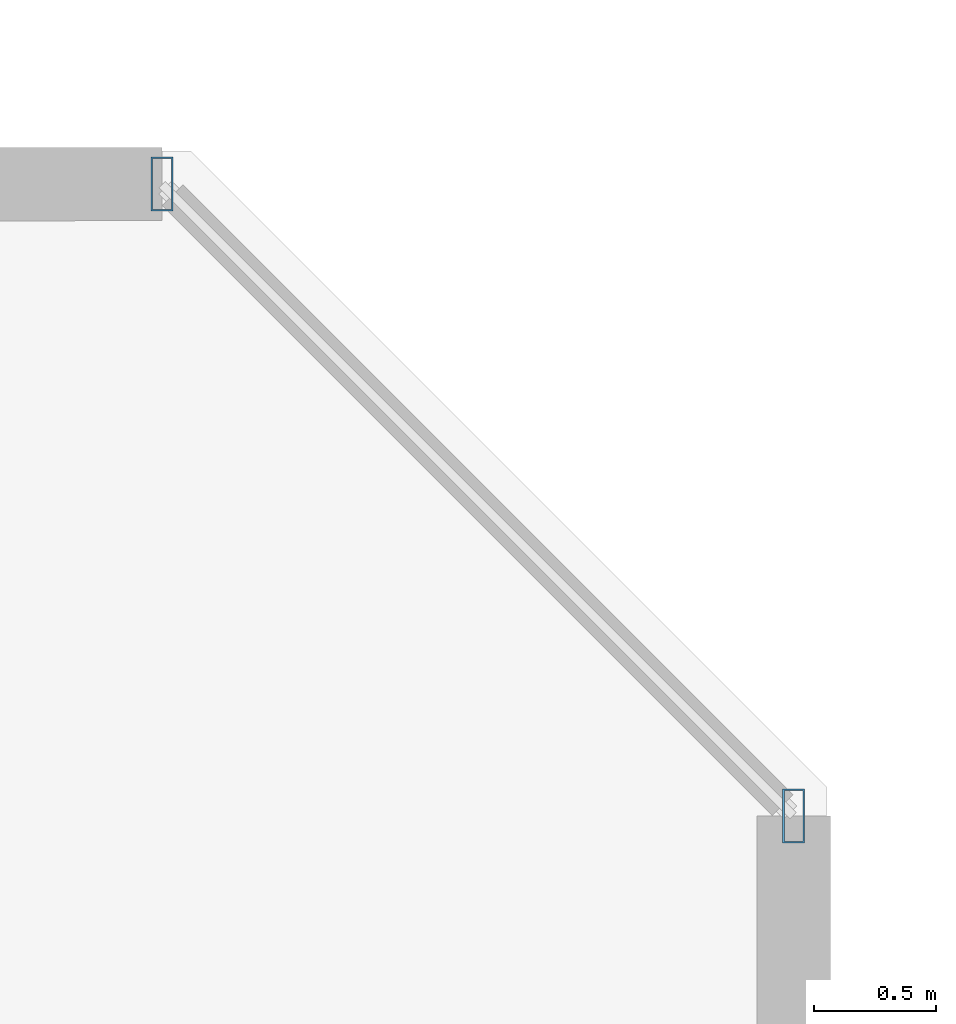
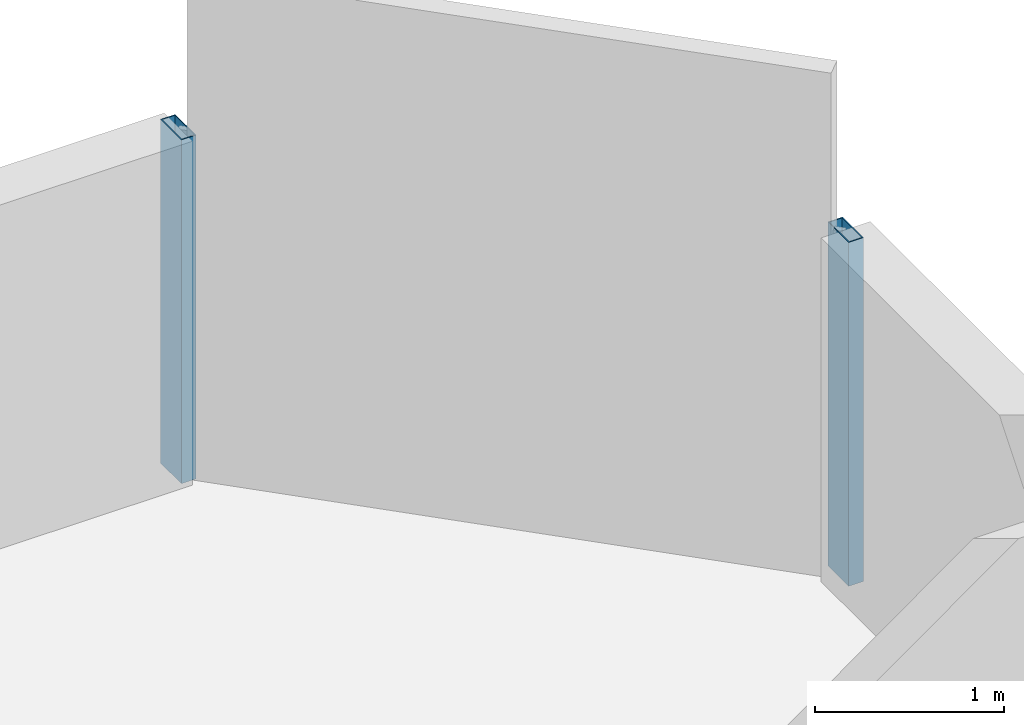
# One storey, part 17 of 36: 2 members, 1 element without a shape of its own.
"""IFC4 building model written with IfcOpenShell, lengths in metres."""

from ifc_helpers import new_model, si_unit, direction, frame, origin, origin_2d, place, context, subcontext, project, spatial, hollow_rectangle, extrude, material, material_profile, profile_set, type_object, element, aggregate, save


model = new_model("IFC4")

# Units and contexts
model_context = context("Model", 3, precision=1e-05, world=origin(), true_north=direction((0.0, 1.0)))
body_context = subcontext(model_context, "Body", "Model", "MODEL_VIEW")
ifc_project = project(units=[si_unit("LENGTHUNIT", "METRE"), si_unit("AREAUNIT", "SQUARE_METRE"), si_unit("VOLUMEUNIT", "CUBIC_METRE"), si_unit("PLANEANGLEUNIT", "RADIAN"), si_unit("MASSUNIT", "GRAM", prefix="KILO")], contexts=[model_context])

# Site, building, storey
site_placement = place(None, origin())
site = spatial("IfcSite", under=ifc_project, at=site_placement, CompositionType="ELEMENT")
building_placement = place(site_placement, origin())
building = spatial("IfcBuilding", under=site, at=building_placement, Name="Thornwick Lancets Civic Towers", CompositionType="ELEMENT")
storey_placement = place(building_placement, frame((0.0, 0.0, 45.89990234375)))
storey = spatial("IfcBuildingStorey", under=building, at=storey_placement, Name="L11", CompositionType="ELEMENT", Elevation=45.89990234375)

# Curtain wall, members
ifc_material_1 = material(Name="Low-zone chamfered-corner unitised glass curtain wall", Category="glass")
curtain_wall_type = type_object("IfcCurtainWallType", Name="CW_SYS_03", PredefinedType="NOTDEFINED", material=ifc_material_1)
curtain_wall_placement = place(storey_placement, origin())
curtain_wall = element("IfcCurtainWall", 1, at=curtain_wall_placement, inside=storey, type_object=curtain_wall_type, Name="L11 Curtain Wall CW-L11-B-E3", PredefinedType="NOTDEFINED")
ifc_material_2 = material(Name="Thermally broken bronze aluminium S355", Category="steel")
ifc_material_profile = material_profile(ifc_material_2, hollow_rectangle(XDim=0.090087890625, YDim=0.219970703125, WallThickness=0.00634765625, at=origin_2d()), Name="RHS 220x90x6.3")
ifc_profile_set = profile_set([ifc_material_profile], Name="Thermally broken bronze aluminium S355")
member_type = type_object("IfcMemberType", Name="CW_MUL_220", PredefinedType="MULLION", material=ifc_profile_set)
member_1_placement = place(storey_placement, frame((112.764892578125, 42.68115234375, 0.0), z_axis=(0.0, 0.0, 1.0), x_axis=(1.0, 0.0, 0.0)))
member_1 = element("IfcMember", 2, at=member_1_placement, type_object=member_type, Name="CW-L11-B-E3 Mullion 0", PredefinedType="MULLION", context=body_context, shape_type="SweptSolid", body=[
    extrude(hollow_rectangle(XDim=0.090087890625, YDim=0.219970703125, WallThickness=0.00634765625, at=origin_2d()), origin(), (0.0, 0.0, 1.0), 2.22021484375),
])
member_2_placement = place(storey_placement, frame((110.18115234375, 45.264892578125, 0.0), z_axis=(0.0, 0.0, 1.0), x_axis=(1.0, 0.0, 0.0)))
member_2 = element("IfcMember", 3, at=member_2_placement, type_object=member_type, Name="CW-L11-B-E3 Mullion 1", PredefinedType="MULLION", context=body_context, shape_type="SweptSolid", body=[
    extrude(hollow_rectangle(XDim=0.090087890625, YDim=0.219970703125, WallThickness=0.00634765625, at=origin_2d()), origin(), (0.0, 0.0, 1.0), 2.22021484375),
])
aggregate(curtain_wall, [member_1, member_2])

save(model, "model.ifc")
